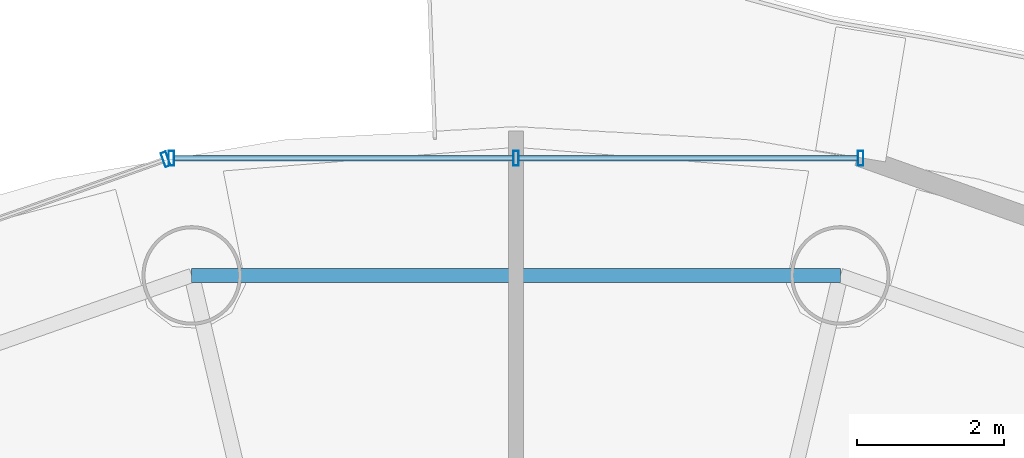
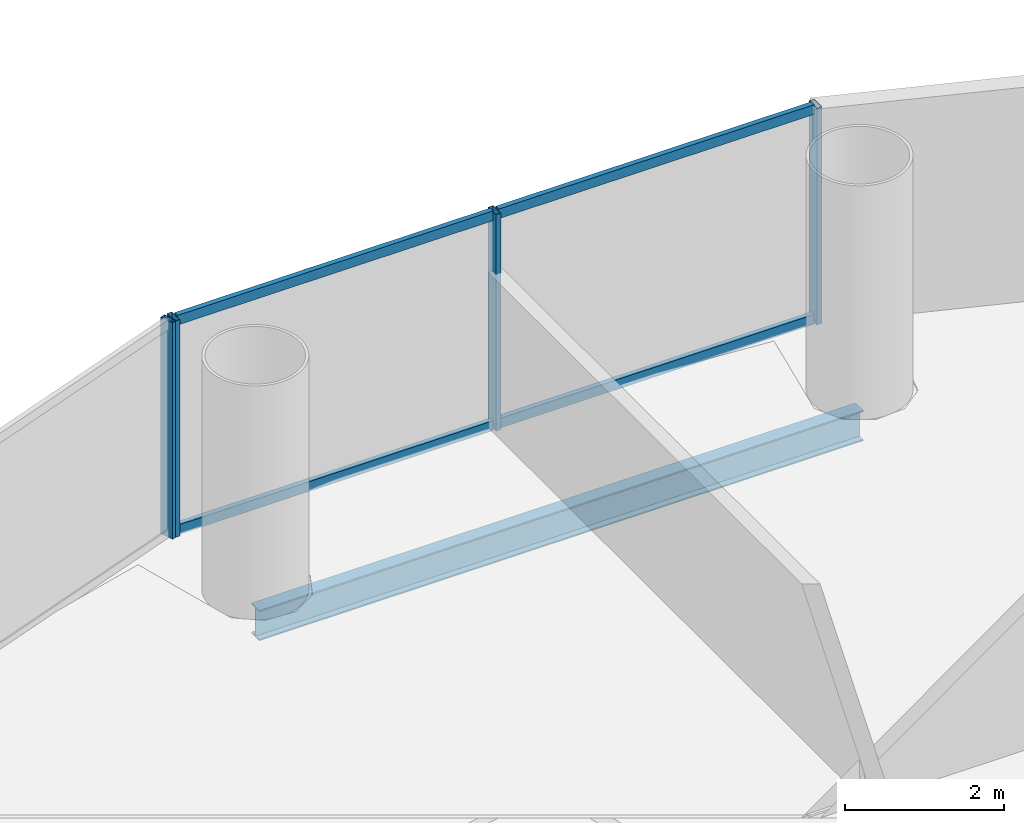
# One storey, part 16 of 26: 8 members, 1 beam, 2 elements without a shape of their own.
"""IFC4 building model written with IfcOpenShell, lengths in metres."""

from ifc_helpers import new_model, si_unit, direction, frame, origin, origin_2d, place, context, subcontext, project, spatial, hollow_rectangle, i_section, extrude, source, transform, mapped, material, material_profile, profile_set, type_object, element, aggregate, save


model = new_model("IFC4")

# Units and contexts
model_context = context("Model", 3, precision=1e-05, world=origin(), true_north=direction((-0.2419218956, 0.970295726276)))
body_context = subcontext(model_context, "Body", "Model", "MODEL_VIEW")
ifc_project = project(units=[si_unit("LENGTHUNIT", "METRE"), si_unit("AREAUNIT", "SQUARE_METRE"), si_unit("VOLUMEUNIT", "CUBIC_METRE"), si_unit("PLANEANGLEUNIT", "RADIAN"), si_unit("MASSUNIT", "GRAM", prefix="KILO")], contexts=[model_context])

# Site, building, storey
site_placement = place(None, origin())
site = spatial("IfcSite", under=ifc_project, at=site_placement, CompositionType="ELEMENT")
building_placement = place(site_placement, origin())
building = spatial("IfcBuilding", under=site, at=building_placement, Name="Cobrevalo Terracotta Tower", CompositionType="ELEMENT")
storey_placement = place(building_placement, frame((0.0, 0.0, 175.0)))
storey = spatial("IfcBuildingStorey", under=building, at=storey_placement, Name="L46", CompositionType="ELEMENT", Elevation=175.0)

# Beam
ifc_material_1 = material(Name="Steel S355", Category="steel")
ifc_material_profile_1 = material_profile(ifc_material_1, i_section(OverallWidth=0.194091796875, OverallDepth=0.468994140625, WebThickness=0.011474609375, FlangeThickness=0.0205078125, at=origin_2d()), Name="W 460x106")
ifc_profile_set_1 = profile_set([ifc_material_profile_1], Name="Steel S355")
beam_type = type_object("IfcBeamType", Name="Structural Spandrel W 460x106 (Steel S355)", PredefinedType="SPANDREL", material=ifc_profile_set_1)
beam_placement = place(storey_placement, frame((42.399169921875, 45.58203125, -0.50439453125), z_axis=(-1.0, 0.0, 0.0), x_axis=(0.0, -1.0, 0.0)))
element("IfcBeam", 1, at=beam_placement, inside=storey, type_object=beam_type, Name="L46 perimeter ring spandrel 04", PredefinedType="SPANDREL", context=body_context, shape_type="SweptSolid", body=[
    extrude(i_section(OverallWidth=0.194091796875, OverallDepth=0.468994140625, WebThickness=0.011474609375, FlangeThickness=0.0205078125, at=origin_2d()), origin(), (0.0, 0.0, 1.0), 8.79833984375),
])

# Curtain wall, members
ifc_material_2 = material(Name="Anodized aluminium", Category="aluminium")
curtain_wall_type = type_object("IfcCurtainWallType", Name="Mid-tower high-wind unitised curtain wall CW-U2", PredefinedType="NOTDEFINED", material=ifc_material_2)
curtain_wall_1_placement = place(storey_placement, origin())
curtain_wall_1 = element("IfcCurtainWall", 2, at=curtain_wall_1_placement, inside=storey, type_object=curtain_wall_type, Name="L46 curtain wall CW-L46-S04", PredefinedType="NOTDEFINED")
ifc_material_profile_2 = material_profile(ifc_material_2, hollow_rectangle(XDim=0.074951171875, YDim=0.199951171875, WallThickness=0.0048828125, at=origin_2d()), Name="CWM 75x200")
ifc_profile_set_2 = profile_set([ifc_material_profile_2], Name="Anodized aluminium")
member_type_1 = type_object("IfcMemberType", Name="Lower/mid tower unitised mullion 75x200", PredefinedType="MULLION", material=ifc_profile_set_2)
shared_shape_1 = source(origin(), body_context, "Body", "SweptSolid", [
    extrude(hollow_rectangle(XDim=0.074951171875, YDim=0.199951171875, WallThickness=0.0048828125, at=origin_2d()), origin(), (0.0, 0.0, 1.0), 3.330078125),
])
member_1_placement = place(storey_placement, frame((42.67529296875, 47.1708984375, 0.0), z_axis=(0.0, 0.0, 1.0), x_axis=(-1.0, 0.0, 0.0)))
member_1 = element("IfcMember", 3, at=member_1_placement, type_object=member_type_1, Name="CW-L46-S04 vertical mullion 01", PredefinedType="MULLION", context=body_context, shape_type="MappedRepresentation", body=[
    mapped(shared_shape_1, transform((0.0, 0.0, 0.0), scale=1.0)),
])
member_2_placement = place(storey_placement, frame((38.0, 47.1708984375, 0.0), z_axis=(0.0, 0.0, 1.0), x_axis=(-1.0, 0.0, 0.0)))
member_2 = element("IfcMember", 4, at=member_2_placement, type_object=member_type_1, Name="CW-L46-S04 vertical mullion 02", PredefinedType="MULLION", context=body_context, shape_type="MappedRepresentation", body=[
    mapped(shared_shape_1, transform((0.0, 0.0, 0.0), scale=1.0)),
])
member_3_placement = place(storey_placement, frame((33.32470703125, 47.1708984375, 0.0), z_axis=(0.0, 0.0, 1.0), x_axis=(-1.0, 0.0, 0.0)))
member_3 = element("IfcMember", 5, at=member_3_placement, type_object=member_type_1, Name="CW-L46-S04 vertical mullion 03", PredefinedType="MULLION", context=body_context, shape_type="MappedRepresentation", body=[
    mapped(shared_shape_1, transform((0.0, 0.0, 0.0), scale=1.0)),
])

# Curtain wall, member
curtain_wall_2_placement = place(storey_placement, origin())
curtain_wall_2 = element("IfcCurtainWall", 6, at=curtain_wall_2_placement, inside=storey, type_object=curtain_wall_type, Name="L46 curtain wall CW-L46-S05", PredefinedType="NOTDEFINED")
member_4_placement = place(storey_placement, frame((33.2470703125, 47.157470703125, 0.0), z_axis=(0.0, 0.0, 1.0), x_axis=(-0.942098428897, -0.335336473217, 0.0)))
member_4 = element("IfcMember", 7, at=member_4_placement, type_object=member_type_1, Name="CW-L46-S05 vertical mullion 01", PredefinedType="MULLION", context=body_context, shape_type="MappedRepresentation", body=[
    mapped(shared_shape_1, transform((0.0, 0.0, 0.0), scale=1.0)),
])
aggregate(curtain_wall_2, [member_4])

# Member
ifc_material_profile_3 = material_profile(ifc_material_2, hollow_rectangle(XDim=0.074951171875, YDim=0.14990234375, WallThickness=0.00439453125, at=origin_2d()), Name="CWT 75x150")
ifc_profile_set_3 = profile_set([ifc_material_profile_3], Name="Anodized aluminium")
member_type_2 = type_object("IfcMemberType", Name="Tower unitised aluminium transom 75x150", PredefinedType="USERDEFINED", material=ifc_profile_set_3)
shared_shape_2 = source(origin(), body_context, "Body", "SweptSolid", [
    extrude(hollow_rectangle(XDim=0.074951171875, YDim=0.14990234375, WallThickness=0.00439453125, at=origin_2d()), origin(), (0.0, 0.0, 1.0), 4.59521484375),
])
member_5_placement = place(storey_placement, frame((42.63525390625, 47.1708984375, 0.050048828125), z_axis=(-1.0, 0.0, 0.0), x_axis=(0.0, -1.0, 0.0)))
member_5 = element("IfcMember", 8, at=member_5_placement, type_object=member_type_2, Name="CW-L46-S04 transom B01-T1", ObjectType="TRANSOM", PredefinedType="USERDEFINED", context=body_context, shape_type="MappedRepresentation", body=[
    mapped(shared_shape_2, transform((0.0, 0.0, 0.0), scale=1.0)),
])

member_6_placement = place(storey_placement, frame((42.63525390625, 47.1708984375, 3.280029296875), z_axis=(-1.0, 0.0, 0.0), x_axis=(0.0, -1.0, 0.0)))
member_6 = element("IfcMember", 9, at=member_6_placement, type_object=member_type_2, Name="CW-L46-S04 transom B01-T2", ObjectType="TRANSOM", PredefinedType="USERDEFINED", context=body_context, shape_type="MappedRepresentation", body=[
    mapped(shared_shape_2, transform((0.0, 0.0, 0.0), scale=1.0)),
])

member_7_placement = place(storey_placement, frame((37.9599609375, 47.1708984375, 0.050048828125), z_axis=(-1.0, 0.0, 0.0), x_axis=(0.0, -1.0, 0.0)))
member_7 = element("IfcMember", 10, at=member_7_placement, type_object=member_type_2, Name="CW-L46-S04 transom B02-T1", ObjectType="TRANSOM", PredefinedType="USERDEFINED", context=body_context, shape_type="MappedRepresentation", body=[
    mapped(shared_shape_2, transform((0.0, 0.0, 0.0), scale=1.0)),
])

member_8_placement = place(storey_placement, frame((37.9599609375, 47.1708984375, 3.280029296875), z_axis=(-1.0, 0.0, 0.0), x_axis=(0.0, -1.0, 0.0)))
member_8 = element("IfcMember", 11, at=member_8_placement, type_object=member_type_2, Name="CW-L46-S04 transom B02-T2", ObjectType="TRANSOM", PredefinedType="USERDEFINED", context=body_context, shape_type="MappedRepresentation", body=[
    mapped(shared_shape_2, transform((0.0, 0.0, 0.0), scale=1.0)),
])

aggregate(curtain_wall_1, [member_1, member_2, member_3, member_5, member_6, member_7, member_8])

save(model, "model.ifc")
